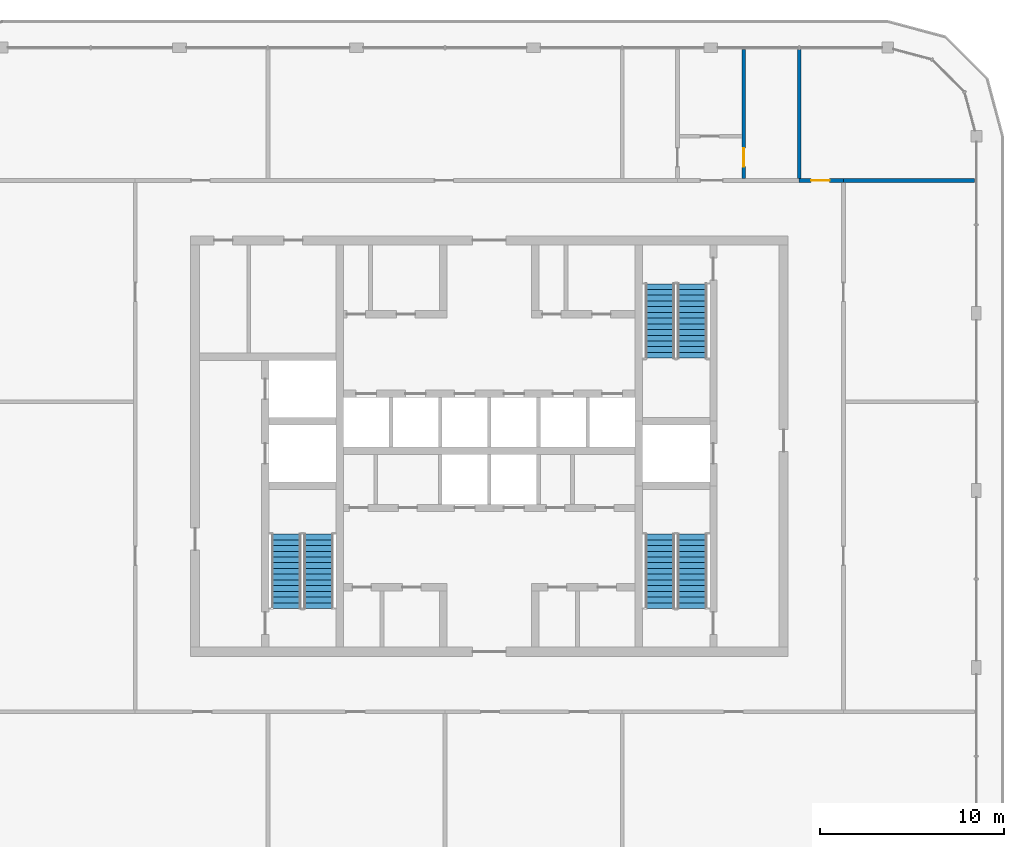
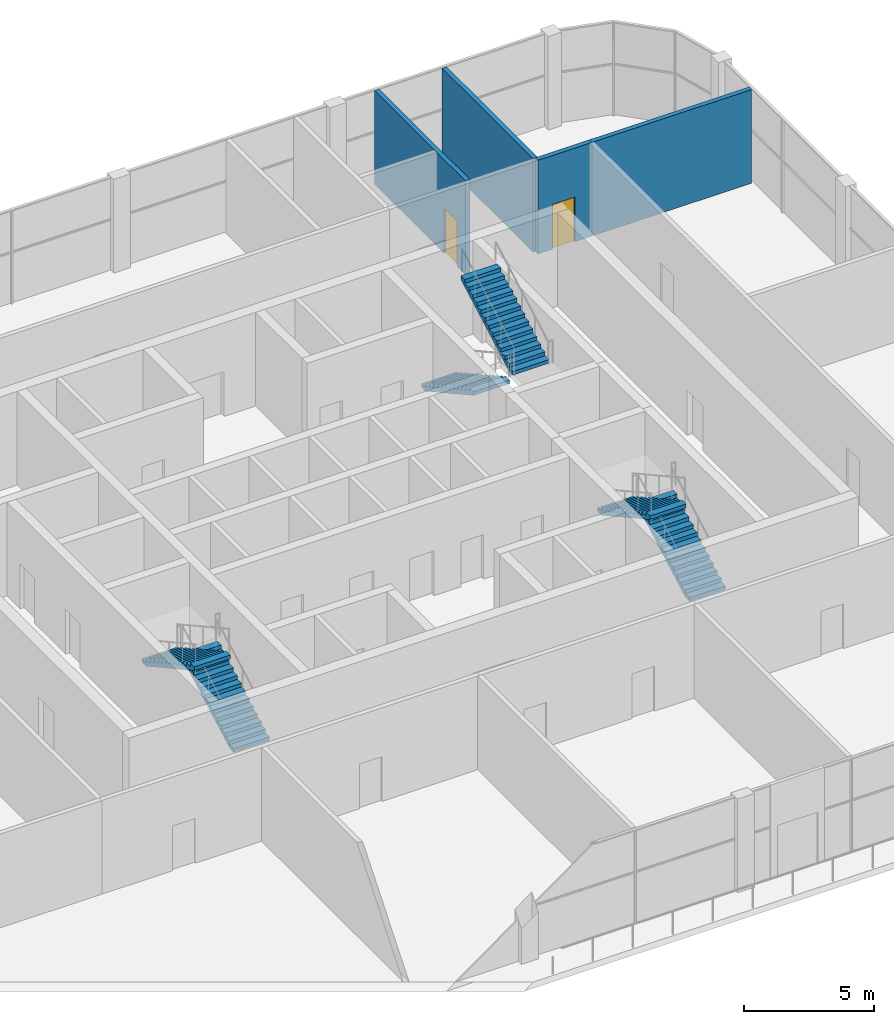
# One storey, part 12 of 15: 6 stair flights, 4 walls, 2 doors, 2 openings, 3 elements without a shape of their own.
"""IFC4 building model written with IfcOpenShell, lengths in metres."""

from ifc_helpers import new_model, si_unit, direction, frame, frame_2d, origin, place, context, subcontext, project, spatial, polyline, rectangle, outline, extrude, material, layer, layer_set, type_object, element, fill, aggregate, save


model = new_model("IFC4")

# Units and contexts
model_context = context("Model", 3, precision=1e-05, world=origin(), true_north=direction((0.0, 1.0)))
body_context = subcontext(model_context, "Body", "Model", "MODEL_VIEW")
ifc_project = project(units=[si_unit("LENGTHUNIT", "METRE"), si_unit("AREAUNIT", "SQUARE_METRE"), si_unit("VOLUMEUNIT", "CUBIC_METRE"), si_unit("PLANEANGLEUNIT", "RADIAN"), si_unit("MASSUNIT", "GRAM", prefix="KILO")], contexts=[model_context])

# Site, building, storey
site_placement = place(None, origin())
site = spatial("IfcSite", under=ifc_project, at=site_placement, CompositionType="ELEMENT")
building_placement = place(site_placement, origin())
building = spatial("IfcBuilding", under=site, at=building_placement, Name="Madar Terraces", CompositionType="ELEMENT")
storey_placement = place(building_placement, frame((0.0, 0.0, 291.5)))
storey = spatial("IfcBuildingStorey", under=building, at=storey_placement, Name="L76", CompositionType="ELEMENT", Elevation=291.5)

# Wall
ifc_material_1 = material(Name="Gypsum board partition, fire-rated")
ifc_layer = layer(ifc_material_1, 0.199951171875)
ifc_layer_set = layer_set([ifc_layer], Name="Partition 200 EI 60")
wall_type = type_object("IfcWallType", Name="Partition 200 EI 60", PredefinedType="PARTITIONING", material=ifc_layer_set)
wall_1_placement = place(storey_placement, frame((50.39990234375, 40.800048828125, 0.0), z_axis=(0.0, 0.0, 1.0), x_axis=(1.0, 0.0, 0.0)))
element("IfcWall", 1, at=wall_1_placement, inside=storey, type_object=wall_type, Name="Wall OUTLOOK ROOM / TEA KITCHEN", PredefinedType="PARTITIONING", context=body_context, shape_type="SweptSolid", body=[
    extrude(rectangle(XDim=7.10009765625, YDim=0.199951171875, at=frame_2d((3.550048828125, 0.0))), origin(), (0.0, 0.0, 1.0), 4.39990234375),
])

# Wall, opening, door
wall_2_placement = place(storey_placement, frame((48.0, 40.800048828125, 0.0), z_axis=(0.0, 0.0, 1.0), x_axis=(1.0, 0.0, 0.0)))
wall_2 = element("IfcWall", 2, at=wall_2_placement, inside=storey, type_object=wall_type, Name="Wall OUTLOOK ROOM / RING CORRIDOR", PredefinedType="PARTITIONING", context=body_context, shape_type="SweptSolid", body=[
    extrude(rectangle(XDim=2.39990234375, YDim=0.199951171875, at=frame_2d((1.199951171875, 0.0))), origin(), (0.0, 0.0, 1.0), 4.39990234375),
])
opening_1_placement = place(wall_2_placement, frame((0.64990234375, 0.0, 0.0)))
opening_1 = element("IfcOpeningElement", 3, at=opening_1_placement, cuts=wall_2, Name="Opening D31", PredefinedType="OPENING", context=body_context, shape_type="SweptSolid", body=[
    extrude(rectangle(XDim=1.0, YDim=2.10009765625, at=frame_2d((0.5, 1.050048828125))), frame((0.0, 0.10986328125, 0.0), z_axis=(0.0, -1.0, 0.0), x_axis=(1.0, 0.0, 0.0)), (0.0, 0.0, 1.0), 0.219970703125),
])
ifc_material_2 = material(Name="Timber door leaf, fire-rated", Category="wood")
door_type = type_object("IfcDoorType", Name="Podium door 1000 x 2100 FD30S", OperationType="NOTDEFINED", PredefinedType="DOOR", material=ifc_material_2)
door_1_placement = place(opening_1_placement, origin())
door_1 = element("IfcDoor", 4, at=door_1_placement, inside=storey, type_object=door_type, Name="Door OUTLOOK ROOM / RING CORRIDOR", OperationType="SINGLE_SWING_LEFT", OverallHeight=2.10009765625, OverallWidth=1.0, PredefinedType="DOOR", context=body_context, shape_type="SweptSolid", body=[
    extrude(rectangle(XDim=1.0, YDim=2.10009765625, at=frame_2d((0.5, 1.050048828125))), frame((0.0, 0.02490234375, 0.0), z_axis=(0.0, -1.0, 0.0), x_axis=(1.0, 0.0, 0.0)), (0.0, 0.0, 1.0), 0.050048828125),
])
fill(opening_1, door_1)

wall_3_placement = place(storey_placement, frame((45.0, 47.89990234375, 0.0), z_axis=(0.0, 0.0, 1.0), x_axis=(0.0, -1.0, 0.0)))
wall_3 = element("IfcWall", 5, at=wall_3_placement, inside=storey, type_object=wall_type, Name="Wall WC LOBBY + WC WOMEN", PredefinedType="PARTITIONING", context=body_context, shape_type="SweptSolid", body=[
    extrude(rectangle(XDim=7.0, YDim=0.199951171875, at=frame_2d((3.5, 0.0))), origin(), (0.0, 0.0, 1.0), 4.39990234375),
])
opening_2_placement = place(wall_3_placement, frame((5.35009765625, 0.0, 0.0)))
opening_2 = element("IfcOpeningElement", 6, at=opening_2_placement, cuts=wall_3, Name="Opening D31", PredefinedType="OPENING", context=body_context, shape_type="SweptSolid", body=[
    extrude(rectangle(XDim=1.0, YDim=2.10009765625, at=frame_2d((0.5, 1.050048828125))), frame((0.0, 0.10986328125, 0.0), z_axis=(0.0, -1.0, 0.0), x_axis=(1.0, 0.0, 0.0)), (0.0, 0.0, 1.0), 0.219970703125),
])
door_2_placement = place(opening_2_placement, origin())
door_2 = element("IfcDoor", 7, at=door_2_placement, inside=storey, type_object=door_type, Name="Door WC LOBBY / WC WOMEN", OperationType="SINGLE_SWING_RIGHT", OverallHeight=2.10009765625, OverallWidth=1.0, PredefinedType="DOOR", context=body_context, shape_type="SweptSolid", body=[
    extrude(rectangle(XDim=1.0, YDim=2.10009765625, at=frame_2d((0.5, 1.050048828125))), frame((0.0, 0.02490234375, 0.0), z_axis=(0.0, -1.0, 0.0), x_axis=(1.0, 0.0, 0.0)), (0.0, 0.0, 1.0), 0.050048828125),
])
fill(opening_2, door_2)

# Wall
wall_4_placement = place(storey_placement, frame((48.0, 40.89990234375, 0.0), z_axis=(0.0, 0.0, 1.0), x_axis=(0.0, 1.0, 0.0)))
element("IfcWall", 8, at=wall_4_placement, inside=storey, type_object=wall_type, Name="Wall WC WOMEN / OUTLOOK ROOM", PredefinedType="PARTITIONING", context=body_context, shape_type="SweptSolid", body=[
    extrude(rectangle(XDim=7.0, YDim=0.199951171875, at=frame_2d((3.5, 0.0))), origin(), (0.0, 0.0, 1.0), 4.39990234375),
])

# Stair, stair flights
ifc_material_3 = material(Name="Concrete C50/60", Category="concrete")
stair_type_1 = type_object("IfcStairType", Name="Stair ST1 protected exit", PredefinedType="HALF_TURN_STAIR", material=ifc_material_3)
stair_1_placement = place(storey_placement, origin())
stair_1 = element("IfcStair", 9, at=stair_1_placement, inside=storey, type_object=stair_type_1, Name="L76 Protected Exit Stair ST1", PredefinedType="HALF_TURN_STAIR")
ifc_material_4 = material(Name="Concrete C50/60", Category="concrete")
stair_flight_type_1 = type_object("IfcStairFlightType", Name="Stair flight ST1-F5, 1600 wide, 14 risers", PredefinedType="STRAIGHT", material=ifc_material_4)
stair_flight_1_placement = place(storey_placement, frame((21.949951171875, 17.60009765625, 0.0), z_axis=(0.0, 0.0, 1.0), x_axis=(0.0, 1.0, 0.0)))
stair_flight_1 = element("IfcStairFlight", 10, at=stair_flight_1_placement, type_object=stair_flight_type_1, Name="ST1 flight 1", NumberOfRisers=14, NumberOfTreads=13, PredefinedType="STRAIGHT", RiserHeight=0.171428571, TreadLength=0.31, context=body_context, shape_type="SweptSolid", body=[
    extrude(outline(polyline([(0.0, 0.0), (0.0, 0.17138671875), (0.31005859375, 0.17138671875), (0.31005859375, 0.3427734375), (0.6201171875, 0.3427734375), (0.6201171875, 0.514404296875), (0.929931640625, 0.514404296875), (0.929931640625, 0.685791015625), (1.239990234375, 0.685791015625), (1.239990234375, 0.857177734375), (1.550048828125, 0.857177734375), (1.550048828125, 1.028564453125), (1.860107421875, 1.028564453125), (1.860107421875, 1.199951171875), (2.169921875, 1.199951171875), (2.169921875, 1.371337890625), (2.47998046875, 1.371337890625), (2.47998046875, 1.54296875), (2.7900390625, 1.54296875), (2.7900390625, 1.71435546875), (3.10009765625, 1.71435546875), (3.10009765625, 1.8857421875), (3.409912109375, 1.8857421875), (3.409912109375, 2.05712890625), (3.719970703125, 2.05712890625), (3.719970703125, 2.228515625), (4.030029296875, 2.228515625), (4.030029296875, 2.39990234375), (4.030029296875, 2.057373046875), (0.309814453125, 0.0), (0.0, 0.0)])), frame((0.0, 0.800048828125, 0.0), z_axis=(0.0, -1.0, 0.0), x_axis=(1.0, 0.0, 0.0)), (0.0, 0.0, 1.0), 1.60009765625),
])
stair_flight_2_placement = place(storey_placement, frame((20.199951171875, 21.6298828125, 2.39990234375), z_axis=(0.0, 0.0, 1.0), x_axis=(0.0, -1.0, 0.0)))
stair_flight_2 = element("IfcStairFlight", 11, at=stair_flight_2_placement, type_object=stair_flight_type_1, Name="ST1 flight 2", NumberOfRisers=14, NumberOfTreads=13, PredefinedType="STRAIGHT", RiserHeight=0.171428571, TreadLength=0.31, context=body_context, shape_type="SweptSolid", body=[
    extrude(outline(polyline([(0.0, 0.0), (0.0, 0.17138671875), (0.31005859375, 0.17138671875), (0.31005859375, 0.3427734375), (0.6201171875, 0.3427734375), (0.6201171875, 0.514404296875), (0.929931640625, 0.514404296875), (0.929931640625, 0.685791015625), (1.239990234375, 0.685791015625), (1.239990234375, 0.857177734375), (1.550048828125, 0.857177734375), (1.550048828125, 1.028564453125), (1.860107421875, 1.028564453125), (1.860107421875, 1.199951171875), (2.169921875, 1.199951171875), (2.169921875, 1.371337890625), (2.47998046875, 1.371337890625), (2.47998046875, 1.54296875), (2.7900390625, 1.54296875), (2.7900390625, 1.71435546875), (3.10009765625, 1.71435546875), (3.10009765625, 1.8857421875), (3.409912109375, 1.8857421875), (3.409912109375, 2.05712890625), (3.719970703125, 2.05712890625), (3.719970703125, 2.228515625), (4.030029296875, 2.228515625), (4.030029296875, 2.39990234375), (4.030029296875, 2.057373046875), (0.309814453125, 0.0), (0.0, 0.0)])), frame((0.0, 0.800048828125, 0.0), z_axis=(0.0, -1.0, 0.0), x_axis=(1.0, 0.0, 0.0)), (0.0, 0.0, 1.0), 1.60009765625),
])
aggregate(stair_1, [stair_flight_1, stair_flight_2])

ifc_material_5 = material(Name="Concrete C50/60", Category="concrete")
stair_type_2 = type_object("IfcStairType", Name="Stair ST2 protected exit", PredefinedType="HALF_TURN_STAIR", material=ifc_material_5)
stair_2_placement = place(storey_placement, origin())
stair_2 = element("IfcStair", 12, at=stair_2_placement, inside=storey, type_object=stair_type_2, Name="L76 Protected Exit Stair ST2", PredefinedType="HALF_TURN_STAIR")
ifc_material_6 = material(Name="Concrete C50/60", Category="concrete")
stair_flight_type_2 = type_object("IfcStairFlightType", Name="Stair flight ST2-F5, 1600 wide, 14 risers", PredefinedType="STRAIGHT", material=ifc_material_6)
stair_flight_3_placement = place(storey_placement, frame((40.449951171875, 35.199951171875, 0.0), z_axis=(0.0, 0.0, 1.0), x_axis=(0.0, -1.0, 0.0)))
stair_flight_3 = element("IfcStairFlight", 13, at=stair_flight_3_placement, type_object=stair_flight_type_2, Name="ST2 flight 1", NumberOfRisers=14, NumberOfTreads=13, PredefinedType="STRAIGHT", RiserHeight=0.171428571, TreadLength=0.31, context=body_context, shape_type="SweptSolid", body=[
    extrude(outline(polyline([(0.0, 0.0), (0.0, 0.17138671875), (0.31005859375, 0.17138671875), (0.31005859375, 0.3427734375), (0.6201171875, 0.3427734375), (0.6201171875, 0.514404296875), (0.929931640625, 0.514404296875), (0.929931640625, 0.685791015625), (1.239990234375, 0.685791015625), (1.239990234375, 0.857177734375), (1.550048828125, 0.857177734375), (1.550048828125, 1.028564453125), (1.860107421875, 1.028564453125), (1.860107421875, 1.199951171875), (2.169921875, 1.199951171875), (2.169921875, 1.371337890625), (2.47998046875, 1.371337890625), (2.47998046875, 1.54296875), (2.7900390625, 1.54296875), (2.7900390625, 1.71435546875), (3.10009765625, 1.71435546875), (3.10009765625, 1.8857421875), (3.409912109375, 1.8857421875), (3.409912109375, 2.05712890625), (3.719970703125, 2.05712890625), (3.719970703125, 2.228515625), (4.030029296875, 2.228515625), (4.030029296875, 2.39990234375), (4.030029296875, 2.057373046875), (0.309814453125, 0.0), (0.0, 0.0)])), frame((0.0, 0.800048828125, 0.0), z_axis=(0.0, -1.0, 0.0), x_axis=(1.0, 0.0, 0.0)), (0.0, 0.0, 1.0), 1.60009765625),
])
stair_flight_4_placement = place(storey_placement, frame((42.199951171875, 31.169921875, 2.39990234375), z_axis=(0.0, 0.0, 1.0), x_axis=(0.0, 1.0, 0.0)))
stair_flight_4 = element("IfcStairFlight", 14, at=stair_flight_4_placement, type_object=stair_flight_type_2, Name="ST2 flight 2", NumberOfRisers=14, NumberOfTreads=13, PredefinedType="STRAIGHT", RiserHeight=0.171428571, TreadLength=0.31, context=body_context, shape_type="SweptSolid", body=[
    extrude(outline(polyline([(0.0, 0.0), (0.0, 0.17138671875), (0.31005859375, 0.17138671875), (0.31005859375, 0.3427734375), (0.6201171875, 0.3427734375), (0.6201171875, 0.514404296875), (0.929931640625, 0.514404296875), (0.929931640625, 0.685791015625), (1.239990234375, 0.685791015625), (1.239990234375, 0.857177734375), (1.550048828125, 0.857177734375), (1.550048828125, 1.028564453125), (1.860107421875, 1.028564453125), (1.860107421875, 1.199951171875), (2.169921875, 1.199951171875), (2.169921875, 1.371337890625), (2.47998046875, 1.371337890625), (2.47998046875, 1.54296875), (2.7900390625, 1.54296875), (2.7900390625, 1.71435546875), (3.10009765625, 1.71435546875), (3.10009765625, 1.8857421875), (3.409912109375, 1.8857421875), (3.409912109375, 2.05712890625), (3.719970703125, 2.05712890625), (3.719970703125, 2.228515625), (4.030029296875, 2.228515625), (4.030029296875, 2.39990234375), (4.030029296875, 2.057373046875), (0.309814453125, 0.0), (0.0, 0.0)])), frame((0.0, 0.800048828125, 0.0), z_axis=(0.0, -1.0, 0.0), x_axis=(1.0, 0.0, 0.0)), (0.0, 0.0, 1.0), 1.60009765625),
])
aggregate(stair_2, [stair_flight_3, stair_flight_4])

ifc_material_7 = material(Name="Concrete C50/60", Category="concrete")
stair_type_3 = type_object("IfcStairType", Name="Stair ST3 protected exit", PredefinedType="HALF_TURN_STAIR", material=ifc_material_7)
stair_3_placement = place(storey_placement, origin())
stair_3 = element("IfcStair", 15, at=stair_3_placement, inside=storey, type_object=stair_type_3, Name="L76 Protected Exit Stair ST3", PredefinedType="HALF_TURN_STAIR")
ifc_material_8 = material(Name="Concrete C50/60", Category="concrete")
stair_flight_type_3 = type_object("IfcStairFlightType", Name="Stair flight ST3-F5, 1600 wide, 14 risers", PredefinedType="STRAIGHT", material=ifc_material_8)
stair_flight_5_placement = place(storey_placement, frame((42.199951171875, 17.60009765625, 0.0), z_axis=(0.0, 0.0, 1.0), x_axis=(0.0, 1.0, 0.0)))
stair_flight_5 = element("IfcStairFlight", 16, at=stair_flight_5_placement, type_object=stair_flight_type_3, Name="ST3 flight 1", NumberOfRisers=14, NumberOfTreads=13, PredefinedType="STRAIGHT", RiserHeight=0.171428571, TreadLength=0.31, context=body_context, shape_type="SweptSolid", body=[
    extrude(outline(polyline([(0.0, 0.0), (0.0, 0.17138671875), (0.31005859375, 0.17138671875), (0.31005859375, 0.3427734375), (0.6201171875, 0.3427734375), (0.6201171875, 0.514404296875), (0.929931640625, 0.514404296875), (0.929931640625, 0.685791015625), (1.239990234375, 0.685791015625), (1.239990234375, 0.857177734375), (1.550048828125, 0.857177734375), (1.550048828125, 1.028564453125), (1.860107421875, 1.028564453125), (1.860107421875, 1.199951171875), (2.169921875, 1.199951171875), (2.169921875, 1.371337890625), (2.47998046875, 1.371337890625), (2.47998046875, 1.54296875), (2.7900390625, 1.54296875), (2.7900390625, 1.71435546875), (3.10009765625, 1.71435546875), (3.10009765625, 1.8857421875), (3.409912109375, 1.8857421875), (3.409912109375, 2.05712890625), (3.719970703125, 2.05712890625), (3.719970703125, 2.228515625), (4.030029296875, 2.228515625), (4.030029296875, 2.39990234375), (4.030029296875, 2.057373046875), (0.309814453125, 0.0), (0.0, 0.0)])), frame((0.0, 0.800048828125, 0.0), z_axis=(0.0, -1.0, 0.0), x_axis=(1.0, 0.0, 0.0)), (0.0, 0.0, 1.0), 1.60009765625),
])
stair_flight_6_placement = place(storey_placement, frame((40.449951171875, 21.6298828125, 2.39990234375), z_axis=(0.0, 0.0, 1.0), x_axis=(0.0, -1.0, 0.0)))
stair_flight_6 = element("IfcStairFlight", 17, at=stair_flight_6_placement, type_object=stair_flight_type_3, Name="ST3 flight 2", NumberOfRisers=14, NumberOfTreads=13, PredefinedType="STRAIGHT", RiserHeight=0.171428571, TreadLength=0.31, context=body_context, shape_type="SweptSolid", body=[
    extrude(outline(polyline([(0.0, 0.0), (0.0, 0.17138671875), (0.31005859375, 0.17138671875), (0.31005859375, 0.3427734375), (0.6201171875, 0.3427734375), (0.6201171875, 0.514404296875), (0.929931640625, 0.514404296875), (0.929931640625, 0.685791015625), (1.239990234375, 0.685791015625), (1.239990234375, 0.857177734375), (1.550048828125, 0.857177734375), (1.550048828125, 1.028564453125), (1.860107421875, 1.028564453125), (1.860107421875, 1.199951171875), (2.169921875, 1.199951171875), (2.169921875, 1.371337890625), (2.47998046875, 1.371337890625), (2.47998046875, 1.54296875), (2.7900390625, 1.54296875), (2.7900390625, 1.71435546875), (3.10009765625, 1.71435546875), (3.10009765625, 1.8857421875), (3.409912109375, 1.8857421875), (3.409912109375, 2.05712890625), (3.719970703125, 2.05712890625), (3.719970703125, 2.228515625), (4.030029296875, 2.228515625), (4.030029296875, 2.39990234375), (4.030029296875, 2.057373046875), (0.309814453125, 0.0), (0.0, 0.0)])), frame((0.0, 0.800048828125, 0.0), z_axis=(0.0, -1.0, 0.0), x_axis=(1.0, 0.0, 0.0)), (0.0, 0.0, 1.0), 1.60009765625),
])
aggregate(stair_3, [stair_flight_5, stair_flight_6])

save(model, "model.ifc")
